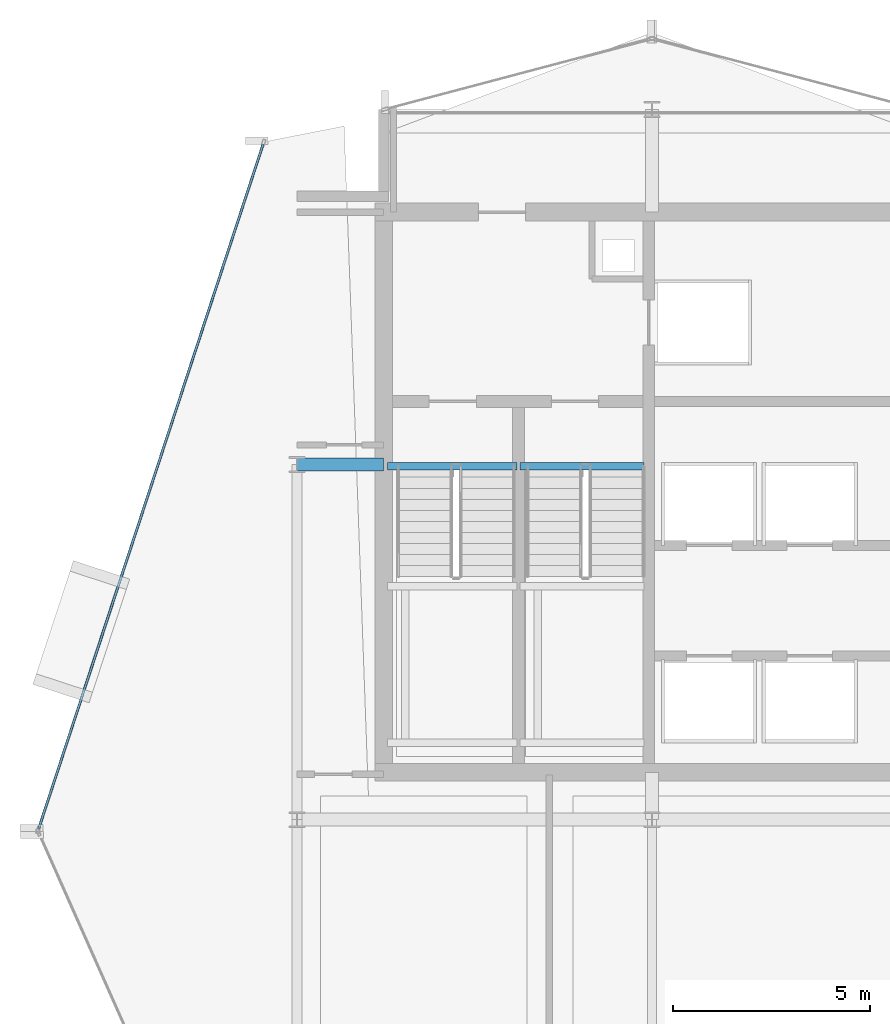
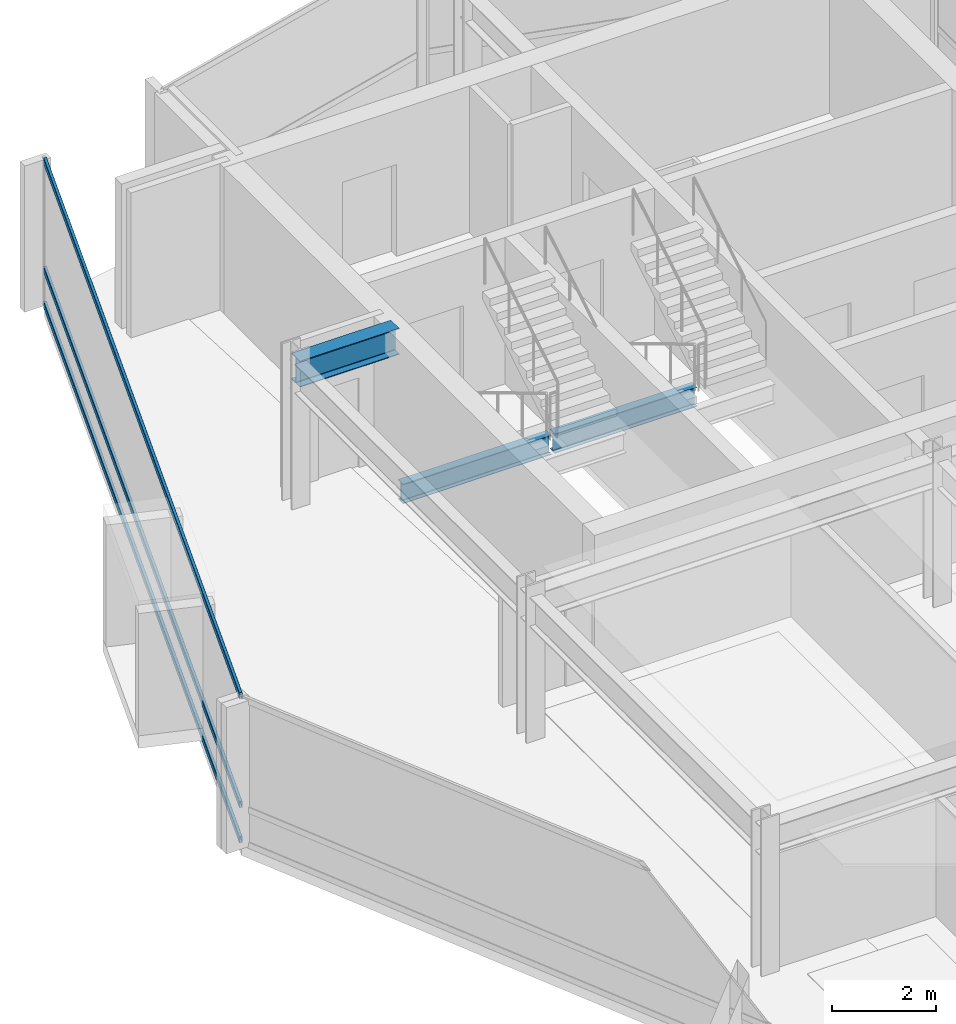
# One storey, part 15 of 27: 3 beams, 3 members, 1 element without a shape of its own.
"""IFC4 building model written with IfcOpenShell, lengths in metres."""

from ifc_helpers import new_model, si_unit, direction, frame, origin, origin_2d, place, context, subcontext, project, spatial, hollow_rectangle, i_section, extrude, material, layer, layer_set, material_profile, profile_set, type_object, element, aggregate, save


model = new_model("IFC4")

# Units and contexts
model_context = context("Model", 3, precision=1e-05, world=origin(), true_north=direction((0.0, 1.0)))
body_context = subcontext(model_context, "Body", "Model", "MODEL_VIEW")
ifc_project = project(units=[si_unit("LENGTHUNIT", "METRE"), si_unit("AREAUNIT", "SQUARE_METRE"), si_unit("VOLUMEUNIT", "CUBIC_METRE"), si_unit("PLANEANGLEUNIT", "RADIAN"), si_unit("MASSUNIT", "GRAM", prefix="KILO")], contexts=[model_context])

# Site, building, storey
site_placement = place(None, origin())
site = spatial("IfcSite", under=ifc_project, at=site_placement, CompositionType="ELEMENT")
building_placement = place(site_placement, origin())
building = spatial("IfcBuilding", under=site, at=building_placement, Name="Solvaryn Broadcast Tower", CompositionType="ELEMENT")
storey_placement = place(building_placement, frame((0.0, 0.0, 228.39990234375)))
storey = spatial("IfcBuildingStorey", under=building, at=storey_placement, Name="L57", CompositionType="ELEMENT", Elevation=228.39990234375)

# Beams
ifc_material_1 = material(Name="Steel ASTM A992 Grade 50", Category="steel")
ifc_material_profile_1 = material_profile(ifc_material_1, i_section(OverallWidth=0.323974609375, OverallDepth=0.611083984375, WebThickness=0.0126953125, FlangeThickness=0.01904296875, FilletRadius=0.014892578125, at=origin_2d()))
ifc_profile_set_1 = profile_set([ifc_material_profile_1], Name="Steel ASTM A992 Grade 50")
beam_type_1 = type_object("IfcBeamType", Name="BM-B1-W24X104", PredefinedType="BEAM", material=ifc_profile_set_1)
beam_1_placement = place(storey_placement, frame((9.0, 36.0, 3.114501953125), z_axis=(1.0, 0.0, 0.0), x_axis=(0.0, 1.0, 0.0)))
element("IfcBeam", 1, at=beam_1_placement, inside=storey, type_object=beam_type_1, Name="L57 Core Tie Beam CTW1", PredefinedType="BEAM", context=body_context, shape_type="SweptSolid", body=[
    extrude(i_section(OverallWidth=0.323974609375, OverallDepth=0.611083984375, WebThickness=0.0126953125, FlangeThickness=0.01904296875, FilletRadius=0.014892578125, at=origin_2d()), origin(), (0.0, 0.0, 1.0), 2.199951171875),
])
ifc_material_2 = material(Name="Steel ASTM A992 Grade 50", Category="steel")
ifc_material_profile_2 = material_profile(ifc_material_2, i_section(OverallWidth=0.18994140625, OverallDepth=0.45703125, WebThickness=0.009033203125, FlangeThickness=0.014404296875, FilletRadius=0.011962890625, at=origin_2d()))
ifc_profile_set_2 = profile_set([ifc_material_profile_2], Name="Steel ASTM A992 Grade 50")
beam_type_2 = type_object("IfcBeamType", Name="BM-B4-W18X50", PredefinedType="BEAM", material=ifc_profile_set_2)
beam_2_placement = place(storey_placement, frame((11.300048828125, 35.9599609375, -0.50830078125), z_axis=(1.0, 0.0, 0.0), x_axis=(0.0, 1.0, 0.0)))
element("IfcBeam", 2, at=beam_2_placement, inside=storey, type_object=beam_type_2, Name="L57 ST1 Stair Well Trimmer Beam", PredefinedType="BEAM", context=body_context, shape_type="SweptSolid", body=[
    extrude(i_section(OverallWidth=0.18994140625, OverallDepth=0.45703125, WebThickness=0.009033203125, FlangeThickness=0.014404296875, FilletRadius=0.011962890625, at=origin_2d()), origin(), (0.0, 0.0, 1.0), 3.280029296875),
])
beam_3_placement = place(storey_placement, frame((14.659912109375, 35.9599609375, -0.50830078125), z_axis=(1.0, 0.0, 0.0), x_axis=(0.0, 1.0, 0.0)))
element("IfcBeam", 3, at=beam_3_placement, inside=storey, type_object=beam_type_2, Name="L57 ST2 Stair Well Trimmer Beam", PredefinedType="BEAM", context=body_context, shape_type="SweptSolid", body=[
    extrude(i_section(OverallWidth=0.18994140625, OverallDepth=0.45703125, WebThickness=0.009033203125, FlangeThickness=0.014404296875, FilletRadius=0.011962890625, at=origin_2d()), origin(), (0.0, 0.0, 1.0), 3.14013671875),
])

# Curtain wall, members
ifc_material_3 = material(Name="Aluminium and Terracotta Unitised Curtain Wall", Category="masonry")
ifc_layer = layer(ifc_material_3, 0.199951171875)
ifc_layer_set = layer_set([ifc_layer], Name="CW-SYS2-LOWMID")
curtain_wall_type = type_object("IfcCurtainWallType", Name="CW-SYS2-LOWMID", PredefinedType="NOTDEFINED", material=ifc_layer_set)
curtain_wall_placement = place(storey_placement, origin())
curtain_wall = element("IfcCurtainWall", 4, at=curtain_wall_placement, inside=storey, type_object=curtain_wall_type, Name="L57 Curtain Wall DR1", PredefinedType="NOTDEFINED")
ifc_material_4 = material(Name="Anodised Aluminium 6063-T6", Category="aluminium")
ifc_material_profile_3 = material_profile(ifc_material_4, hollow_rectangle(XDim=0.06494140625, YDim=0.14990234375, WallThickness=0.00390625, InnerFilletRadius=0.00390625, OuterFilletRadius=0.008056640625, at=origin_2d()))
ifc_profile_set_3 = profile_set([ifc_material_profile_3], Name="Anodised Aluminium 6063-T6")
member_type = type_object("IfcMemberType", Name="CW-TRN-150", PredefinedType="USERDEFINED", material=ifc_profile_set_3)
member_1_placement = place(storey_placement, frame((8.144287109375, 44.125, 0.030029296875), z_axis=(-0.311557987209, -0.950227141586, 0.0), x_axis=(0.950227141586, -0.311557987209, 0.0)))
member_1 = element("IfcMember", 5, at=member_1_placement, type_object=member_type, Name="CWS2 transom 1.1", ObjectType="TRANSOM", PredefinedType="USERDEFINED", context=body_context, shape_type="SweptSolid", body=[
    extrude(hollow_rectangle(XDim=0.06494140625, YDim=0.14990234375, WallThickness=0.00390625, InnerFilletRadius=0.00390625, OuterFilletRadius=0.008056640625, at=origin_2d()), origin(), (0.0, 0.0, 1.0), 18.271484375),
])
member_2_placement = place(storey_placement, frame((8.144287109375, 44.125, 0.85009765625), z_axis=(-0.311557987209, -0.950227141586, 0.0), x_axis=(0.950227141586, -0.311557987209, 0.0)))
member_2 = element("IfcMember", 6, at=member_2_placement, type_object=member_type, Name="CWS2 transom 1.2", ObjectType="TRANSOM", PredefinedType="USERDEFINED", context=body_context, shape_type="SweptSolid", body=[
    extrude(hollow_rectangle(XDim=0.06494140625, YDim=0.14990234375, WallThickness=0.00390625, InnerFilletRadius=0.00390625, OuterFilletRadius=0.008056640625, at=origin_2d()), origin(), (0.0, 0.0, 1.0), 18.271484375),
])
member_3_placement = place(storey_placement, frame((8.144287109375, 44.125, 3.39013671875), z_axis=(-0.311557987209, -0.950227141586, 0.0), x_axis=(0.950227141586, -0.311557987209, 0.0)))
member_3 = element("IfcMember", 7, at=member_3_placement, type_object=member_type, Name="CWS2 transom 1.3", ObjectType="TRANSOM", PredefinedType="USERDEFINED", context=body_context, shape_type="SweptSolid", body=[
    extrude(hollow_rectangle(XDim=0.06494140625, YDim=0.14990234375, WallThickness=0.00390625, InnerFilletRadius=0.00390625, OuterFilletRadius=0.008056640625, at=origin_2d()), origin(), (0.0, 0.0, 1.0), 18.271484375),
])
aggregate(curtain_wall, [member_1, member_2, member_3])

save(model, "model.ifc")
